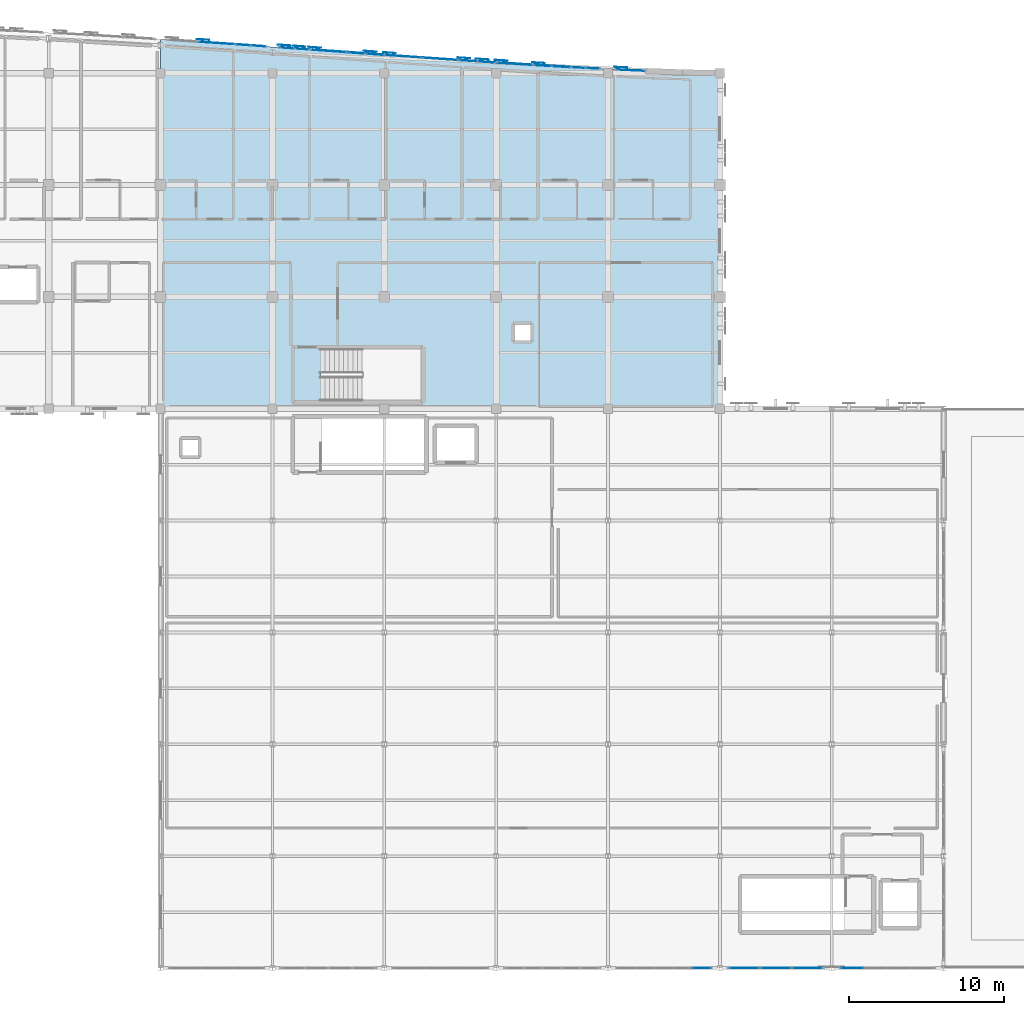
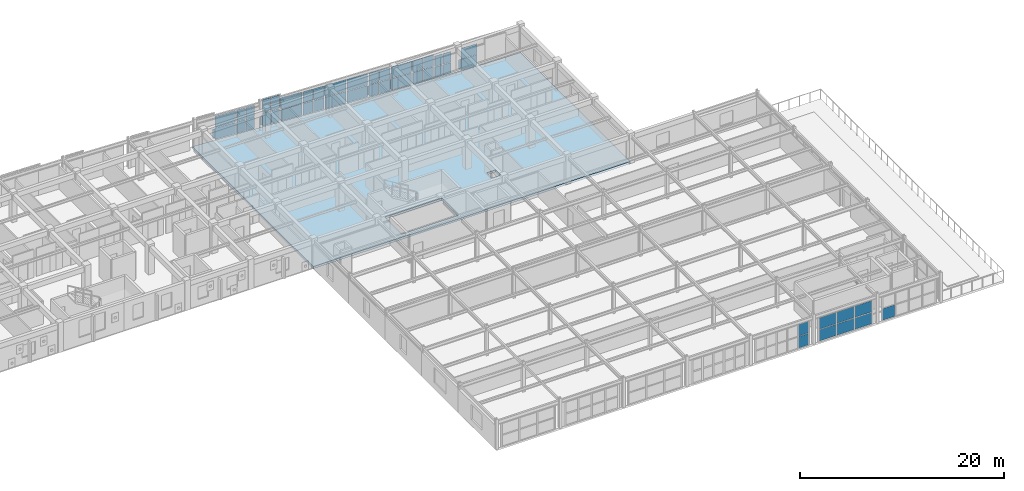
# One storey, part 55 of 73: 56 plates, 1 slab, 15 elements without a shape of their own.
"""IFC4 building model written with IfcOpenShell, lengths in metres."""

from ifc_helpers import new_model, si_unit, direction, frame, origin, origin_2d, place, context, subcontext, project, spatial, polyline, rectangle, outline, extrude, material, layer, layer_set, type_object, element, aggregate, save


model = new_model("IFC4")

# Units and contexts
model_context = context("Model", 3, precision=1e-05, world=origin(), true_north=direction((0.0, 1.0)))
body_context = subcontext(model_context, "Body", "Model", "MODEL_VIEW")
ifc_project = project(units=[si_unit("LENGTHUNIT", "METRE"), si_unit("AREAUNIT", "SQUARE_METRE"), si_unit("VOLUMEUNIT", "CUBIC_METRE"), si_unit("PLANEANGLEUNIT", "RADIAN"), si_unit("MASSUNIT", "GRAM", prefix="KILO")], contexts=[model_context])

# Site, building, storey
site_placement = place(None, origin())
site = spatial("IfcSite", under=ifc_project, at=site_placement, CompositionType="ELEMENT")
building_placement = place(site_placement, origin())
building = spatial("IfcBuilding", under=site, at=building_placement, Name="Carrowvane Square Congress Hotel", CompositionType="ELEMENT")
storey_placement = place(building_placement, frame((0.0, 0.0, 19.199951171875)))
storey = spatial("IfcBuildingStorey", under=building, at=storey_placement, Name="L04", CompositionType="ELEMENT", Elevation=19.199951171875)

# Curtain wall, plates
ifc_material_1 = material(Name="Anodised aluminium", Category="aluminium")
ifc_layer_1 = layer(ifc_material_1, 0.221923828125)
ifc_layer_set_1 = layer_set([ifc_layer_1], Name="Anodised aluminium")
curtain_wall_type_1 = type_object("IfcCurtainWallType", Name="CW-SYS-6", PredefinedType="NOTDEFINED", material=ifc_layer_set_1)
curtain_wall_1_placement = place(storey_placement, origin())
curtain_wall_1 = element("IfcCurtainWall", 1, at=curtain_wall_1_placement, inside=storey, type_object=curtain_wall_type_1, Name="L04 unitised curtain wall 285", PredefinedType="NOTDEFINED")
ifc_material_2 = material(Name="Double-glazed low-E glass", Category="glass")
ifc_layer_2 = layer(ifc_material_2, 0.028076171875)
ifc_layer_set_2 = layer_set([ifc_layer_2], Name="Double-glazed low-E glass")
plate_type_1 = type_object("IfcPlateType", Name="CW-PAN-1", PredefinedType="CURTAIN_PANEL", material=ifc_layer_set_2)
plate_1_placement = place(storey_placement, frame((130.39990234375, 115.33544921875, 0.070068359375), z_axis=(0.0, 0.0, 1.0), x_axis=(0.99769420292, -0.067869562107, 0.0)))
plate_1 = element("IfcPlate", 2, at=plate_1_placement, type_object=plate_type_1, Name="CW-6 panel 1.1", PredefinedType="CURTAIN_PANEL", context=body_context, shape_type="SweptSolid", body=[
    extrude(rectangle(XDim=2.265380859375, YDim=0.028076171875, at=origin_2d()), origin(), (0.0, 0.0, 1.0), 1.35791015625),
])
plate_2_placement = place(storey_placement, frame((130.39990234375, 115.33544921875, 1.497802734375), z_axis=(0.0, 0.0, 1.0), x_axis=(0.99769420292, -0.067869562107, 0.0)))
plate_2 = element("IfcPlate", 3, at=plate_2_placement, type_object=plate_type_1, Name="CW-6 panel 1.2", PredefinedType="CURTAIN_PANEL", context=body_context, shape_type="SweptSolid", body=[
    extrude(rectangle(XDim=2.265380859375, YDim=0.028076171875, at=origin_2d()), origin(), (0.0, 0.0, 1.0), 1.35791015625),
])
aggregate(curtain_wall_1, [plate_1, plate_2])

ifc_material_3 = material(Name="Anodised aluminium", Category="aluminium")
ifc_layer_3 = layer(ifc_material_3, 0.18603515625)
ifc_layer_set_3 = layer_set([ifc_layer_3], Name="Anodised aluminium")
curtain_wall_type_2 = type_object("IfcCurtainWallType", Name="CW-SYS-3", PredefinedType="NOTDEFINED", material=ifc_layer_set_3)
curtain_wall_2_placement = place(storey_placement, origin())
curtain_wall_2 = element("IfcCurtainWall", 4, at=curtain_wall_2_placement, inside=storey, type_object=curtain_wall_type_2, Name="L04 unitised curtain wall 290", PredefinedType="NOTDEFINED")
plate_3_placement = place(storey_placement, frame((142.39990234375, 114.486328125, 0.06005859375), z_axis=(0.0, 0.0, 1.0), x_axis=(0.997505697746, -0.070585996942, 0.0)))
plate_3 = element("IfcPlate", 5, at=plate_3_placement, type_object=plate_type_1, Name="CW-3 panel 1.1", PredefinedType="CURTAIN_PANEL", context=body_context, shape_type="SweptSolid", body=[
    extrude(rectangle(XDim=2.285888671875, YDim=0.028076171875, at=origin_2d()), origin(), (0.0, 0.0, 1.0), 1.372802734375),
])
plate_4_placement = place(storey_placement, frame((142.39990234375, 114.486328125, 1.49267578125), z_axis=(0.0, 0.0, 1.0), x_axis=(0.997505697746, -0.070585996942, 0.0)))
plate_4 = element("IfcPlate", 6, at=plate_4_placement, type_object=plate_type_1, Name="CW-3 panel 1.2", PredefinedType="CURTAIN_PANEL", context=body_context, shape_type="SweptSolid", body=[
    extrude(rectangle(XDim=2.285888671875, YDim=0.028076171875, at=origin_2d()), origin(), (0.0, 0.0, 1.0), 1.372802734375),
])
aggregate(curtain_wall_2, [plate_3, plate_4])

ifc_material_4 = material(Name="Anodised aluminium", Category="aluminium")
ifc_layer_4 = layer(ifc_material_4, 0.24609375)
ifc_layer_set_4 = layer_set([ifc_layer_4], Name="Anodised aluminium")
curtain_wall_type_3 = type_object("IfcCurtainWallType", Name="CW-SYS-8", PredefinedType="NOTDEFINED", material=ifc_layer_set_4)
curtain_wall_3_placement = place(storey_placement, origin())
curtain_wall_3 = element("IfcCurtainWall", 7, at=curtain_wall_3_placement, inside=storey, type_object=curtain_wall_type_3, Name="L04 unitised curtain wall 295", PredefinedType="NOTDEFINED")
plate_5_placement = place(storey_placement, frame((153.70166015625, 113.75439453125, 0.0703125), z_axis=(0.0, 0.0, 1.0), x_axis=(0.998566981227, -0.053516203185, 0.0)))
plate_5 = element("IfcPlate", 8, at=plate_5_placement, type_object=plate_type_1, Name="CW-8 panel 1.1", PredefinedType="CURTAIN_PANEL", context=body_context, shape_type="SweptSolid", body=[
    extrude(rectangle(XDim=0.86474609375, YDim=0.028076171875, at=origin_2d()), origin(), (0.0, 0.0, 1.0), 1.262451171875),
])
plate_6_placement = place(storey_placement, frame((153.70166015625, 113.75439453125, 1.40234375), z_axis=(0.0, 0.0, 1.0), x_axis=(0.998566981227, -0.053516203185, 0.0)))
plate_6 = element("IfcPlate", 9, at=plate_6_placement, type_object=plate_type_1, Name="CW-8 panel 1.2", PredefinedType="CURTAIN_PANEL", context=body_context, shape_type="SweptSolid", body=[
    extrude(rectangle(XDim=0.86474609375, YDim=0.028076171875, at=origin_2d()), origin(), (0.0, 0.0, 1.0), 1.262451171875),
])
plate_7_placement = place(storey_placement, frame((154.63525390625, 113.704345703125, 0.0703125), z_axis=(0.0, 0.0, 1.0), x_axis=(0.998566981227, -0.053516203185, 0.0)))
plate_7 = element("IfcPlate", 10, at=plate_7_placement, type_object=plate_type_1, Name="CW-8 panel 2.1", PredefinedType="CURTAIN_PANEL", context=body_context, shape_type="SweptSolid", body=[
    extrude(rectangle(XDim=0.86474609375, YDim=0.028076171875, at=origin_2d()), origin(), (0.0, 0.0, 1.0), 1.262451171875),
])
plate_8_placement = place(storey_placement, frame((154.63525390625, 113.704345703125, 1.40234375), z_axis=(0.0, 0.0, 1.0), x_axis=(0.998566981227, -0.053516203185, 0.0)))
plate_8 = element("IfcPlate", 11, at=plate_8_placement, type_object=plate_type_1, Name="CW-8 panel 2.2", PredefinedType="CURTAIN_PANEL", context=body_context, shape_type="SweptSolid", body=[
    extrude(rectangle(XDim=0.86474609375, YDim=0.028076171875, at=origin_2d()), origin(), (0.0, 0.0, 1.0), 1.262451171875),
])
aggregate(curtain_wall_3, [plate_5, plate_6, plate_7, plate_8])

# Curtain wall, plate
ifc_material_5 = material(Name="Anodised aluminium", Category="aluminium")
ifc_layer_5 = layer(ifc_material_5, 0.2099609375)
ifc_layer_set_5 = layer_set([ifc_layer_5], Name="Anodised aluminium")
curtain_wall_type_4 = type_object("IfcCurtainWallType", Name="CW-SYS-5", PredefinedType="NOTDEFINED", material=ifc_layer_set_5)
curtain_wall_4_placement = place(storey_placement, origin())
curtain_wall_4 = element("IfcCurtainWall", 12, at=curtain_wall_4_placement, inside=storey, type_object=curtain_wall_type_4, Name="L04 unitised curtain wall 300", PredefinedType="NOTDEFINED")
plate_9_placement = place(storey_placement, frame((171.320068359375, 55.800048828125, 0.06005859375), z_axis=(0.0, 0.0, 1.0), x_axis=(-1.0, 0.0, 0.0)))
plate_9 = element("IfcPlate", 13, at=plate_9_placement, type_object=plate_type_1, Name="CW-5 panel 4.1", PredefinedType="CURTAIN_PANEL", context=body_context, shape_type="SweptSolid", body=[
    extrude(rectangle(XDim=1.43994140625, YDim=0.028076171875, at=origin_2d()), origin(), (0.0, 0.0, 1.0), 1.372802734375),
])
aggregate(curtain_wall_4, [plate_9])

# Curtain wall, plates
ifc_material_6 = material(Name="Anodised aluminium", Category="aluminium")
ifc_layer_6 = layer(ifc_material_6, 0.23388671875)
ifc_layer_set_6 = layer_set([ifc_layer_6], Name="Anodised aluminium")
curtain_wall_type_5 = type_object("IfcCurtainWallType", Name="CW-SYS-7", PredefinedType="NOTDEFINED", material=ifc_layer_set_6)
curtain_wall_5_placement = place(storey_placement, origin())
curtain_wall_5 = element("IfcCurtainWall", 14, at=curtain_wall_5_placement, inside=storey, type_object=curtain_wall_type_5, Name="L04 unitised curtain wall 286", PredefinedType="NOTDEFINED")
ifc_material_7 = material(Name="Double-glazed low-E glass", Category="glass")
ifc_layer_7 = layer(ifc_material_7, 0.031982421875)
ifc_layer_set_7 = layer_set([ifc_layer_7], Name="Double-glazed low-E glass")
plate_type_2 = type_object("IfcPlateType", Name="CW-PAN-2", PredefinedType="CURTAIN_PANEL", material=ifc_layer_set_7)
plate_10_placement = place(storey_placement, frame((132.125732421875, 115.217041015625, 0.06005859375), z_axis=(0.0, 0.0, 1.0), x_axis=(0.997566119277, -0.069726879118, 0.0)))
plate_10 = element("IfcPlate", 15, at=plate_10_placement, type_object=plate_type_2, Name="CW-7 panel 1.1", PredefinedType="CURTAIN_PANEL", context=body_context, shape_type="SweptSolid", body=[
    extrude(rectangle(XDim=0.933837890625, YDim=0.031982421875, at=origin_2d()), origin(), (0.0, 0.0, 1.0), 1.372802734375),
])
plate_11_placement = place(storey_placement, frame((132.125732421875, 115.217041015625, 1.49267578125), z_axis=(0.0, 0.0, 1.0), x_axis=(0.997566119277, -0.069726879118, 0.0)))
plate_11 = element("IfcPlate", 16, at=plate_11_placement, type_object=plate_type_2, Name="CW-7 panel 1.2", PredefinedType="CURTAIN_PANEL", context=body_context, shape_type="SweptSolid", body=[
    extrude(rectangle(XDim=0.933837890625, YDim=0.031982421875, at=origin_2d()), origin(), (0.0, 0.0, 1.0), 1.372802734375),
])
plate_12_placement = place(storey_placement, frame((133.1171875, 115.147705078125, 0.06005859375), z_axis=(0.0, 0.0, 1.0), x_axis=(0.997566119277, -0.069726879118, 0.0)))
plate_12 = element("IfcPlate", 17, at=plate_12_placement, type_object=plate_type_2, Name="CW-7 panel 2.1", PredefinedType="CURTAIN_PANEL", context=body_context, shape_type="SweptSolid", body=[
    extrude(rectangle(XDim=0.933837890625, YDim=0.031982421875, at=origin_2d()), origin(), (0.0, 0.0, 1.0), 1.372802734375),
])
plate_13_placement = place(storey_placement, frame((133.1171875, 115.147705078125, 1.49267578125), z_axis=(0.0, 0.0, 1.0), x_axis=(0.997566119277, -0.069726879118, 0.0)))
plate_13 = element("IfcPlate", 18, at=plate_13_placement, type_object=plate_type_2, Name="CW-7 panel 2.2", PredefinedType="CURTAIN_PANEL", context=body_context, shape_type="SweptSolid", body=[
    extrude(rectangle(XDim=0.933837890625, YDim=0.031982421875, at=origin_2d()), origin(), (0.0, 0.0, 1.0), 1.372802734375),
])
aggregate(curtain_wall_5, [plate_10, plate_11, plate_12, plate_13])

ifc_material_8 = material(Name="Anodised aluminium", Category="aluminium")
ifc_layer_8 = layer(ifc_material_8, 0.197998046875)
ifc_layer_set_8 = layer_set([ifc_layer_8], Name="Anodised aluminium")
curtain_wall_type_6 = type_object("IfcCurtainWallType", Name="CW-SYS-4", PredefinedType="NOTDEFINED", material=ifc_layer_set_8)
curtain_wall_6_placement = place(storey_placement, origin())
curtain_wall_6 = element("IfcCurtainWall", 19, at=curtain_wall_6_placement, inside=storey, type_object=curtain_wall_type_6, Name="L04 unitised curtain wall 291", PredefinedType="NOTDEFINED")
plate_14_placement = place(storey_placement, frame((144.800048828125, 114.318359375, 0.070068359375), z_axis=(0.0, 0.0, 1.0), x_axis=(0.997617619706, -0.068986120725, 0.0)))
plate_14 = element("IfcPlate", 20, at=plate_14_placement, type_object=plate_type_2, Name="CW-4 panel 1.1", PredefinedType="CURTAIN_PANEL", context=body_context, shape_type="SweptSolid", body=[
    extrude(rectangle(XDim=2.265625, YDim=0.031982421875, at=origin_2d()), origin(), (0.0, 0.0, 1.0), 1.35791015625),
])
plate_15_placement = place(storey_placement, frame((144.800048828125, 114.318359375, 1.497802734375), z_axis=(0.0, 0.0, 1.0), x_axis=(0.997617619706, -0.068986120725, 0.0)))
plate_15 = element("IfcPlate", 21, at=plate_15_placement, type_object=plate_type_2, Name="CW-4 panel 1.2", PredefinedType="CURTAIN_PANEL", context=body_context, shape_type="SweptSolid", body=[
    extrude(rectangle(XDim=2.265625, YDim=0.031982421875, at=origin_2d()), origin(), (0.0, 0.0, 1.0), 1.35791015625),
])
aggregate(curtain_wall_6, [plate_14, plate_15])

ifc_material_9 = material(Name="Anodised aluminium", Category="aluminium")
ifc_layer_9 = layer(ifc_material_9, 0.162109375)
ifc_layer_set_9 = layer_set([ifc_layer_9], Name="Anodised aluminium")
curtain_wall_type_7 = type_object("IfcCurtainWallType", Name="CW-SYS-1", PredefinedType="NOTDEFINED", material=ifc_layer_set_9)
curtain_wall_7_placement = place(storey_placement, origin())
curtain_wall_7 = element("IfcCurtainWall", 22, at=curtain_wall_7_placement, inside=storey, type_object=curtain_wall_type_7, Name="L04 unitised curtain wall 296", PredefinedType="NOTDEFINED")
plate_16_placement = place(storey_placement, frame((157.044189453125, 113.58544921875, 0.06005859375), z_axis=(0.0, 0.0, 1.0), x_axis=(0.998917263935, -0.046522035775, 0.0)))
plate_16 = element("IfcPlate", 23, at=plate_16_placement, type_object=plate_type_2, Name="CW-1 panel 1.1", PredefinedType="CURTAIN_PANEL", context=body_context, shape_type="SweptSolid", body=[
    extrude(rectangle(XDim=1.79345703125, YDim=0.031982421875, at=origin_2d()), origin(), (0.0, 0.0, 1.0), 1.277587890625),
])
plate_17_placement = place(storey_placement, frame((157.044189453125, 113.58544921875, 1.3974609375), z_axis=(0.0, 0.0, 1.0), x_axis=(0.998917263935, -0.046522035775, 0.0)))
plate_17 = element("IfcPlate", 24, at=plate_17_placement, type_object=plate_type_2, Name="CW-1 panel 1.2", PredefinedType="CURTAIN_PANEL", context=body_context, shape_type="SweptSolid", body=[
    extrude(rectangle(XDim=1.79345703125, YDim=0.031982421875, at=origin_2d()), origin(), (0.0, 0.0, 1.0), 1.277587890625),
])
aggregate(curtain_wall_7, [plate_16, plate_17])

curtain_wall_8_placement = place(storey_placement, origin())
curtain_wall_8 = element("IfcCurtainWall", 25, at=curtain_wall_8_placement, inside=storey, type_object=curtain_wall_type_1, Name="L04 unitised curtain wall 301", PredefinedType="NOTDEFINED")
plate_18_placement = place(storey_placement, frame((168.422607421875, 55.800048828125, 0.070068359375), z_axis=(0.0, 0.0, 1.0), x_axis=(-1.0, 0.0, 0.0)))
plate_18 = element("IfcPlate", 26, at=plate_18_placement, type_object=plate_type_2, Name="CW-6 panel 1.1", PredefinedType="CURTAIN_PANEL", context=body_context, shape_type="SweptSolid", body=[
    extrude(rectangle(XDim=1.93505859375, YDim=0.031982421875, at=origin_2d()), origin(), (0.0, 0.0, 1.0), 1.35791015625),
])
plate_19_placement = place(storey_placement, frame((168.422607421875, 55.800048828125, 1.497802734375), z_axis=(0.0, 0.0, 1.0), x_axis=(-1.0, 0.0, 0.0)))
plate_19 = element("IfcPlate", 27, at=plate_19_placement, type_object=plate_type_2, Name="CW-6 panel 1.2", PredefinedType="CURTAIN_PANEL", context=body_context, shape_type="SweptSolid", body=[
    extrude(rectangle(XDim=1.93505859375, YDim=0.031982421875, at=origin_2d()), origin(), (0.0, 0.0, 1.0), 1.35791015625),
])
plate_20_placement = place(storey_placement, frame((166.39990234375, 55.800048828125, 0.070068359375), z_axis=(0.0, 0.0, 1.0), x_axis=(-1.0, 0.0, 0.0)))
plate_20 = element("IfcPlate", 28, at=plate_20_placement, type_object=plate_type_2, Name="CW-6 panel 2.1", PredefinedType="CURTAIN_PANEL", context=body_context, shape_type="SweptSolid", body=[
    extrude(rectangle(XDim=1.969970703125, YDim=0.031982421875, at=origin_2d()), origin(), (0.0, 0.0, 1.0), 1.35791015625),
])
plate_21_placement = place(storey_placement, frame((166.39990234375, 55.800048828125, 1.497802734375), z_axis=(0.0, 0.0, 1.0), x_axis=(-1.0, 0.0, 0.0)))
plate_21 = element("IfcPlate", 29, at=plate_21_placement, type_object=plate_type_2, Name="CW-6 panel 2.2", PredefinedType="CURTAIN_PANEL", context=body_context, shape_type="SweptSolid", body=[
    extrude(rectangle(XDim=1.969970703125, YDim=0.031982421875, at=origin_2d()), origin(), (0.0, 0.0, 1.0), 1.35791015625),
])
plate_22_placement = place(storey_placement, frame((164.37744140625, 55.800048828125, 0.070068359375), z_axis=(0.0, 0.0, 1.0), x_axis=(-1.0, 0.0, 0.0)))
plate_22 = element("IfcPlate", 30, at=plate_22_placement, type_object=plate_type_2, Name="CW-6 panel 3.1", PredefinedType="CURTAIN_PANEL", context=body_context, shape_type="SweptSolid", body=[
    extrude(rectangle(XDim=1.93505859375, YDim=0.031982421875, at=origin_2d()), origin(), (0.0, 0.0, 1.0), 1.35791015625),
])
plate_23_placement = place(storey_placement, frame((164.37744140625, 55.800048828125, 1.497802734375), z_axis=(0.0, 0.0, 1.0), x_axis=(-1.0, 0.0, 0.0)))
plate_23 = element("IfcPlate", 31, at=plate_23_placement, type_object=plate_type_2, Name="CW-6 panel 3.2", PredefinedType="CURTAIN_PANEL", context=body_context, shape_type="SweptSolid", body=[
    extrude(rectangle(XDim=1.93505859375, YDim=0.031982421875, at=origin_2d()), origin(), (0.0, 0.0, 1.0), 1.35791015625),
])
aggregate(curtain_wall_8, [plate_18, plate_19, plate_20, plate_21, plate_22, plate_23])

curtain_wall_9_placement = place(storey_placement, origin())
curtain_wall_9 = element("IfcCurtainWall", 32, at=curtain_wall_9_placement, inside=storey, type_object=curtain_wall_type_3, Name="L04 unitised curtain wall 287", PredefinedType="NOTDEFINED")
ifc_material_10 = material(Name="Double-glazed low-E glass", Category="glass")
ifc_layer_10 = layer(ifc_material_10, 0.035888671875)
ifc_layer_set_10 = layer_set([ifc_layer_10], Name="Double-glazed low-E glass")
plate_type_3 = type_object("IfcPlateType", Name="CW-PAN-3", PredefinedType="CURTAIN_PANEL", material=ifc_layer_set_10)
plate_24_placement = place(storey_placement, frame((134.92529296875, 115.02001953125, 0.06982421875), z_axis=(0.0, 0.0, 1.0), x_axis=(0.997479171673, -0.070959862453, 0.0)))
plate_24 = element("IfcPlate", 33, at=plate_24_placement, type_object=plate_type_3, Name="CW-8 panel 1.1", PredefinedType="CURTAIN_PANEL", context=body_context, shape_type="SweptSolid", body=[
    extrude(rectangle(XDim=0.892333984375, YDim=0.035888671875, at=origin_2d()), origin(), (0.0, 0.0, 1.0), 1.570068359375),
])
plate_25_placement = place(storey_placement, frame((134.92529296875, 115.02001953125, 1.7099609375), z_axis=(0.0, 0.0, 1.0), x_axis=(0.997479171673, -0.070959862453, 0.0)))
plate_25 = element("IfcPlate", 34, at=plate_25_placement, type_object=plate_type_3, Name="CW-8 panel 1.2", PredefinedType="CURTAIN_PANEL", context=body_context, shape_type="SweptSolid", body=[
    extrude(rectangle(XDim=0.892333984375, YDim=0.035888671875, at=origin_2d()), origin(), (0.0, 0.0, 1.0), 1.570068359375),
])
plate_26_placement = place(storey_placement, frame((135.88525390625, 114.951904296875, 0.06982421875), z_axis=(0.0, 0.0, 1.0), x_axis=(0.997479171673, -0.070959862453, 0.0)))
plate_26 = element("IfcPlate", 35, at=plate_26_placement, type_object=plate_type_3, Name="CW-8 panel 2.1", PredefinedType="CURTAIN_PANEL", context=body_context, shape_type="SweptSolid", body=[
    extrude(rectangle(XDim=0.892333984375, YDim=0.035888671875, at=origin_2d()), origin(), (0.0, 0.0, 1.0), 1.570068359375),
])
plate_27_placement = place(storey_placement, frame((135.88525390625, 114.951904296875, 1.7099609375), z_axis=(0.0, 0.0, 1.0), x_axis=(0.997479171673, -0.070959862453, 0.0)))
plate_27 = element("IfcPlate", 36, at=plate_27_placement, type_object=plate_type_3, Name="CW-8 panel 2.2", PredefinedType="CURTAIN_PANEL", context=body_context, shape_type="SweptSolid", body=[
    extrude(rectangle(XDim=0.892333984375, YDim=0.035888671875, at=origin_2d()), origin(), (0.0, 0.0, 1.0), 1.570068359375),
])
aggregate(curtain_wall_9, [plate_24, plate_25, plate_26, plate_27])

curtain_wall_10_placement = place(storey_placement, origin())
curtain_wall_10 = element("IfcCurtainWall", 37, at=curtain_wall_10_placement, inside=storey, type_object=curtain_wall_type_4, Name="L04 unitised curtain wall 292", PredefinedType="NOTDEFINED")
plate_28_placement = place(storey_placement, frame((146.614990234375, 114.1943359375, 0.06005859375), z_axis=(0.0, 0.0, 1.0), x_axis=(0.997781495544, -0.06657392244, 0.0)))
plate_28 = element("IfcPlate", 38, at=plate_28_placement, type_object=plate_type_3, Name="CW-5 panel 1.1", PredefinedType="CURTAIN_PANEL", context=body_context, shape_type="SweptSolid", body=[
    extrude(rectangle(XDim=1.112548828125, YDim=0.035888671875, at=origin_2d()), origin(), (0.0, 0.0, 1.0), 1.372802734375),
])
plate_29_placement = place(storey_placement, frame((146.614990234375, 114.1943359375, 1.49267578125), z_axis=(0.0, 0.0, 1.0), x_axis=(0.997781495544, -0.06657392244, 0.0)))
plate_29 = element("IfcPlate", 39, at=plate_29_placement, type_object=plate_type_3, Name="CW-5 panel 1.2", PredefinedType="CURTAIN_PANEL", context=body_context, shape_type="SweptSolid", body=[
    extrude(rectangle(XDim=1.112548828125, YDim=0.035888671875, at=origin_2d()), origin(), (0.0, 0.0, 1.0), 1.372802734375),
])
plate_30_placement = place(storey_placement, frame((147.784912109375, 114.116455078125, 0.06005859375), z_axis=(0.0, 0.0, 1.0), x_axis=(0.997781495544, -0.06657392244, 0.0)))
plate_30 = element("IfcPlate", 40, at=plate_30_placement, type_object=plate_type_3, Name="CW-5 panel 2.1", PredefinedType="CURTAIN_PANEL", context=body_context, shape_type="SweptSolid", body=[
    extrude(rectangle(XDim=1.112548828125, YDim=0.035888671875, at=origin_2d()), origin(), (0.0, 0.0, 1.0), 1.372802734375),
])
plate_31_placement = place(storey_placement, frame((147.784912109375, 114.116455078125, 1.49267578125), z_axis=(0.0, 0.0, 1.0), x_axis=(0.997781495544, -0.06657392244, 0.0)))
plate_31 = element("IfcPlate", 41, at=plate_31_placement, type_object=plate_type_3, Name="CW-5 panel 2.2", PredefinedType="CURTAIN_PANEL", context=body_context, shape_type="SweptSolid", body=[
    extrude(rectangle(XDim=1.112548828125, YDim=0.035888671875, at=origin_2d()), origin(), (0.0, 0.0, 1.0), 1.372802734375),
])
aggregate(curtain_wall_10, [plate_28, plate_29, plate_30, plate_31])

curtain_wall_11_placement = place(storey_placement, origin())
curtain_wall_11 = element("IfcCurtainWall", 42, at=curtain_wall_11_placement, inside=storey, type_object=curtain_wall_type_5, Name="L04 unitised curtain wall 302", PredefinedType="NOTDEFINED")
plate_32_placement = place(storey_placement, frame((161.633056640625, 55.800048828125, 0.06005859375), z_axis=(0.0, 0.0, 1.0), x_axis=(-1.0, 0.0, 0.0)))
plate_32 = element("IfcPlate", 43, at=plate_32_placement, type_object=plate_type_3, Name="CW-7 panel 1.1", PredefinedType="CURTAIN_PANEL", context=body_context, shape_type="SweptSolid", body=[
    extrude(rectangle(XDim=1.134033203125, YDim=0.035888671875, at=origin_2d()), origin(), (0.0, 0.0, 1.0), 1.372802734375),
])
plate_33_placement = place(storey_placement, frame((161.633056640625, 55.800048828125, 1.49267578125), z_axis=(0.0, 0.0, 1.0), x_axis=(-1.0, 0.0, 0.0)))
plate_33 = element("IfcPlate", 44, at=plate_33_placement, type_object=plate_type_3, Name="CW-7 panel 1.2", PredefinedType="CURTAIN_PANEL", context=body_context, shape_type="SweptSolid", body=[
    extrude(rectangle(XDim=1.134033203125, YDim=0.035888671875, at=origin_2d()), origin(), (0.0, 0.0, 1.0), 1.372802734375),
])
aggregate(curtain_wall_11, [plate_32, plate_33])

curtain_wall_12_placement = place(storey_placement, origin())
curtain_wall_12 = element("IfcCurtainWall", 45, at=curtain_wall_12_placement, inside=storey, type_object=curtain_wall_type_7, Name="L04 unitised curtain wall 288", PredefinedType="NOTDEFINED")
ifc_material_11 = material(Name="Double-glazed low-E glass", Category="glass")
ifc_layer_11 = layer(ifc_material_11, 0.0419921875)
ifc_layer_set_11 = layer_set([ifc_layer_11], Name="Double-glazed low-E glass")
plate_type_4 = type_object("IfcPlateType", Name="CW-PAN-4", PredefinedType="CURTAIN_PANEL", material=ifc_layer_set_11)
plate_34_placement = place(storey_placement, frame((137.60009765625, 114.8291015625, 0.06005859375), z_axis=(0.0, 0.0, 1.0), x_axis=(0.997438322595, -0.071531759512, 0.0)))
plate_34 = element("IfcPlate", 46, at=plate_34_placement, type_object=plate_type_4, Name="CW-1 panel 1.1", PredefinedType="CURTAIN_PANEL", context=body_context, shape_type="SweptSolid", body=[
    extrude(rectangle(XDim=2.2861328125, YDim=0.0419921875, at=origin_2d()), origin(), (0.0, 0.0, 1.0), 1.372802734375),
])
plate_35_placement = place(storey_placement, frame((137.60009765625, 114.8291015625, 1.49267578125), z_axis=(0.0, 0.0, 1.0), x_axis=(0.997438322595, -0.071531759512, 0.0)))
plate_35 = element("IfcPlate", 47, at=plate_35_placement, type_object=plate_type_4, Name="CW-1 panel 1.2", PredefinedType="CURTAIN_PANEL", context=body_context, shape_type="SweptSolid", body=[
    extrude(rectangle(XDim=2.2861328125, YDim=0.0419921875, at=origin_2d()), origin(), (0.0, 0.0, 1.0), 1.372802734375),
])
aggregate(curtain_wall_12, [plate_34, plate_35])

curtain_wall_13_placement = place(storey_placement, origin())
curtain_wall_13 = element("IfcCurtainWall", 48, at=curtain_wall_13_placement, inside=storey, type_object=curtain_wall_type_1, Name="L04 unitised curtain wall 293", PredefinedType="NOTDEFINED")
plate_36_placement = place(storey_placement, frame((149.60009765625, 113.999267578125, 0.070068359375), z_axis=(0.0, 0.0, 1.0), x_axis=(0.997996225303, -0.063273487972, 0.0)))
plate_36 = element("IfcPlate", 49, at=plate_36_placement, type_object=plate_type_4, Name="CW-6 panel 1.1", PredefinedType="CURTAIN_PANEL", context=body_context, shape_type="SweptSolid", body=[
    extrude(rectangle(XDim=2.264892578125, YDim=0.0419921875, at=origin_2d()), origin(), (0.0, 0.0, 1.0), 1.35791015625),
])
plate_37_placement = place(storey_placement, frame((149.60009765625, 113.999267578125, 1.497802734375), z_axis=(0.0, 0.0, 1.0), x_axis=(0.997996225303, -0.063273487972, 0.0)))
plate_37 = element("IfcPlate", 50, at=plate_37_placement, type_object=plate_type_4, Name="CW-6 panel 1.2", PredefinedType="CURTAIN_PANEL", context=body_context, shape_type="SweptSolid", body=[
    extrude(rectangle(XDim=2.264892578125, YDim=0.0419921875, at=origin_2d()), origin(), (0.0, 0.0, 1.0), 1.35791015625),
])
aggregate(curtain_wall_13, [plate_36, plate_37])

ifc_material_12 = material(Name="Anodised aluminium", Category="aluminium")
ifc_layer_12 = layer(ifc_material_12, 0.174072265625)
ifc_layer_set_12 = layer_set([ifc_layer_12], Name="Anodised aluminium")
curtain_wall_type_8 = type_object("IfcCurtainWallType", Name="CW-SYS-2", PredefinedType="NOTDEFINED", material=ifc_layer_set_12)
curtain_wall_14_placement = place(storey_placement, origin())
curtain_wall_14 = element("IfcCurtainWall", 51, at=curtain_wall_14_placement, inside=storey, type_object=curtain_wall_type_8, Name="L04 unitised curtain wall 289", PredefinedType="NOTDEFINED")
ifc_material_13 = material(Name="Double-glazed low-E glass", Category="glass")
ifc_layer_13 = layer(ifc_material_13, 0.048095703125)
ifc_layer_set_13 = layer_set([ifc_layer_13], Name="Double-glazed low-E glass")
plate_type_5 = type_object("IfcPlateType", Name="CW-PAN-5", PredefinedType="CURTAIN_PANEL", material=ifc_layer_set_13)
plate_38_placement = place(storey_placement, frame((139.41748046875, 114.698974609375, 0.070068359375), z_axis=(0.0, 0.0, 1.0), x_axis=(0.997446152826, -0.071422490945, 0.0)))
plate_38 = element("IfcPlate", 52, at=plate_38_placement, type_object=plate_type_5, Name="CW-2 panel 1.1", PredefinedType="CURTAIN_PANEL", context=body_context, shape_type="SweptSolid", body=[
    extrude(rectangle(XDim=1.09814453125, YDim=0.048095703125, at=origin_2d()), origin(), (0.0, 0.0, 1.0), 1.35791015625),
])
plate_39_placement = place(storey_placement, frame((139.41748046875, 114.698974609375, 1.497802734375), z_axis=(0.0, 0.0, 1.0), x_axis=(0.997446152826, -0.071422490945, 0.0)))
plate_39 = element("IfcPlate", 53, at=plate_39_placement, type_object=plate_type_5, Name="CW-2 panel 1.2", PredefinedType="CURTAIN_PANEL", context=body_context, shape_type="SweptSolid", body=[
    extrude(rectangle(XDim=1.09814453125, YDim=0.048095703125, at=origin_2d()), origin(), (0.0, 0.0, 1.0), 1.35791015625),
])
plate_40_placement = place(storey_placement, frame((140.58251953125, 114.615478515625, 0.070068359375), z_axis=(0.0, 0.0, 1.0), x_axis=(0.997446152826, -0.071422490945, 0.0)))
plate_40 = element("IfcPlate", 54, at=plate_40_placement, type_object=plate_type_5, Name="CW-2 panel 2.1", PredefinedType="CURTAIN_PANEL", context=body_context, shape_type="SweptSolid", body=[
    extrude(rectangle(XDim=1.09814453125, YDim=0.048095703125, at=origin_2d()), origin(), (0.0, 0.0, 1.0), 1.35791015625),
])
plate_41_placement = place(storey_placement, frame((140.58251953125, 114.615478515625, 1.497802734375), z_axis=(0.0, 0.0, 1.0), x_axis=(0.997446152826, -0.071422490945, 0.0)))
plate_41 = element("IfcPlate", 55, at=plate_41_placement, type_object=plate_type_5, Name="CW-2 panel 2.2", PredefinedType="CURTAIN_PANEL", context=body_context, shape_type="SweptSolid", body=[
    extrude(rectangle(XDim=1.09814453125, YDim=0.048095703125, at=origin_2d()), origin(), (0.0, 0.0, 1.0), 1.35791015625),
])
aggregate(curtain_wall_14, [plate_38, plate_39, plate_40, plate_41])

curtain_wall_15_placement = place(storey_placement, origin())
curtain_wall_15 = element("IfcCurtainWall", 56, at=curtain_wall_15_placement, inside=storey, type_object=curtain_wall_type_5, Name="L04 unitised curtain wall 294", PredefinedType="NOTDEFINED")
plate_42_placement = place(storey_placement, frame((151.4150390625, 113.88671875, 0.06005859375), z_axis=(0.0, 0.0, 1.0), x_axis=(0.99825866099, -0.058988522254, 0.0)))
plate_42 = element("IfcPlate", 57, at=plate_42_placement, type_object=plate_type_5, Name="CW-7 panel 1.1", PredefinedType="CURTAIN_PANEL", context=body_context, shape_type="SweptSolid", body=[
    extrude(rectangle(XDim=1.112060546875, YDim=0.048095703125, at=origin_2d()), origin(), (0.0, 0.0, 1.0), 1.372802734375),
])
plate_43_placement = place(storey_placement, frame((151.4150390625, 113.88671875, 1.49267578125), z_axis=(0.0, 0.0, 1.0), x_axis=(0.99825866099, -0.058988522254, 0.0)))
plate_43 = element("IfcPlate", 58, at=plate_43_placement, type_object=plate_type_5, Name="CW-7 panel 1.2", PredefinedType="CURTAIN_PANEL", context=body_context, shape_type="SweptSolid", body=[
    extrude(rectangle(XDim=1.112060546875, YDim=0.048095703125, at=origin_2d()), origin(), (0.0, 0.0, 1.0), 1.372802734375),
])
plate_44_placement = place(storey_placement, frame((152.5849609375, 113.817626953125, 0.06005859375), z_axis=(0.0, 0.0, 1.0), x_axis=(0.99825866099, -0.058988522254, 0.0)))
plate_44 = element("IfcPlate", 59, at=plate_44_placement, type_object=plate_type_5, Name="CW-7 panel 2.1", PredefinedType="CURTAIN_PANEL", context=body_context, shape_type="SweptSolid", body=[
    extrude(rectangle(XDim=1.112060546875, YDim=0.048095703125, at=origin_2d()), origin(), (0.0, 0.0, 1.0), 1.372802734375),
])
plate_45_placement = place(storey_placement, frame((152.5849609375, 113.817626953125, 1.49267578125), z_axis=(0.0, 0.0, 1.0), x_axis=(0.99825866099, -0.058988522254, 0.0)))
plate_45 = element("IfcPlate", 60, at=plate_45_placement, type_object=plate_type_5, Name="CW-7 panel 2.2", PredefinedType="CURTAIN_PANEL", context=body_context, shape_type="SweptSolid", body=[
    extrude(rectangle(XDim=1.112060546875, YDim=0.048095703125, at=origin_2d()), origin(), (0.0, 0.0, 1.0), 1.372802734375),
])
aggregate(curtain_wall_15, [plate_42, plate_43, plate_44, plate_45])

# Plates
ifc_material_14 = material(Name="Champagne-gold anodised aluminium", Category="aluminium")
ifc_layer_14 = layer(ifc_material_14, 0.011962890625)
ifc_layer_set_14 = layer_set([ifc_layer_14], Name="Champagne-gold anodised aluminium")
plate_type_6 = type_object("IfcPlateType", Name="PLT-PIX-GOLD12", PredefinedType="SHEET", material=ifc_layer_set_14)
for number, where, z_axis, x_axis, name in (
    (61, (129.535400390625, 115.560546875, 0.119873046875), (0.0, 0.0, 1.0), (0.9976944394, -0.067866085713, 0.0), "Champagne-gold pixel screen plate 338"),
    (62, (134.746337890625, 115.19921875, 0.119873046875), (0.0, 0.0, 1.0), (0.997479379392, -0.070956942496, 0.0), "Champagne-gold pixel screen plate 339"),
    (63, (135.7060546875, 115.131103515625, 0.119873046875), (0.0, 0.0, 1.0), (0.997479379392, -0.070956942496, 0.0), "Champagne-gold pixel screen plate 340"),
    (64, (140.30078125, 114.802001953125, 1.590087890625), (0.0, 0.0, 1.0), (0.997446326449, -0.071420066188, 0.0), "Champagne-gold pixel screen plate 342"),
    (65, (148.734619140625, 114.220458984375, 0.119873046875), (0.0, 0.0, 1.0), (0.997996022269, -0.063276690295, 0.0), "Champagne-gold pixel screen plate 346"),
):
    element("IfcPlate", number, at=place(storey_placement, frame(where, z_axis=z_axis, x_axis=x_axis)), inside=storey, type_object=plate_type_6, Name=name, PredefinedType="SHEET", context=body_context, shape_type="SweptSolid", body=[
        extrude(rectangle(XDim=0.827880859375, YDim=0.011962890625, at=origin_2d()), origin(), (0.0, 0.0, 1.0), 1.1201171875),
    ])
ifc_material_15 = material(Name="Champagne-gold anodised aluminium", Category="aluminium")
ifc_layer_15 = layer(ifc_material_15, 0.008056640625)
ifc_layer_set_15 = layer_set([ifc_layer_15], Name="Champagne-gold anodised aluminium")
plate_type_7 = type_object("IfcPlateType", Name="PLT-PIX-GOLD8", PredefinedType="SHEET", material=ifc_layer_set_15)
for number, where, z_axis, x_axis, name in (
    (66, (136.730712890625, 115.055908203125, 1.590087890625), (0.0, 0.0, 1.0), (0.997438267187, -0.071532532122, 0.0), "Champagne-gold pixel screen plate 341"),
    (67, (141.530517578125, 114.71240234375, 1.590087890625), (0.0, 0.0, 1.0), (0.997505756275, -0.070585169822, 0.0), "Champagne-gold pixel screen plate 343"),
    (68, (146.330078125, 114.3779296875, 0.119873046875), (0.0, 0.0, 1.0), (0.997781458784, -0.066574473385, 0.0), "Champagne-gold pixel screen plate 344"),
    (69, (147.5, 114.2998046875, 1.590087890625), (0.0, 0.0, 1.0), (0.997781458784, -0.066574473385, 0.0), "Champagne-gold pixel screen plate 345"),
    (70, (151.12890625, 114.068115234375, 1.590087890625), (0.0, 0.0, 1.0), (0.998258866948, -0.05898503675, 0.0), "Champagne-gold pixel screen plate 347"),
    (71, (156.415771484375, 113.77880859375, 0.119873046875), (0.0, 0.0, 1.0), (0.99891730083, -0.046521243556, 0.0), "Champagne-gold pixel screen plate 348"),
):
    element("IfcPlate", number, at=place(storey_placement, frame(where, z_axis=z_axis, x_axis=x_axis)), inside=storey, type_object=plate_type_7, Name=name, PredefinedType="SHEET", context=body_context, shape_type="SweptSolid", body=[
        extrude(rectangle(XDim=0.827880859375, YDim=0.008056640625, at=origin_2d()), origin(), (0.0, 0.0, 1.0), 1.1201171875),
    ])

# Slab
ifc_material_16 = material(Name="Concrete C35/45", Category="concrete")
ifc_layer_16 = layer(ifc_material_16, 0.260009765625)
ifc_layer_set_16 = layer_set([ifc_layer_16], Name="Concrete C35/45")
slab_type = type_object("IfcSlabType", Name="SLB-FLR-260", PredefinedType="FLOOR", material=ifc_layer_set_16)
slab_placement = place(storey_placement, frame((0.0, 0.0, -0.260009765625)))
element("IfcSlab", 72, at=slab_placement, inside=storey, type_object=slab_type, Name="L04 Hotel Wing slab panel 3", PredefinedType="FLOOR", context=body_context, shape_type="SweptSolid", body=[
    extrude(outline(polyline([(126.800048828125, 91.800048828125), (162.800048828125, 91.800048828125), (162.800048828125, 113.39990234375), (160.39990234375, 113.45166015625), (158.0, 113.541015625), (155.60009765625, 113.65283203125), (153.199951171875, 113.78125), (150.800048828125, 113.923095703125), (148.39990234375, 114.075439453125), (146.0, 114.235595703125), (143.60009765625, 114.4013671875), (141.199951171875, 114.5712890625), (138.800048828125, 114.7431640625), (136.39990234375, 114.915283203125), (134.0, 115.0859375), (131.60009765625, 115.253662109375), (129.199951171875, 115.4169921875), (126.800048828125, 115.57421875), (126.800048828125, 91.800048828125)]), holes=[polyline([(137.1201171875, 92.300048828125), (143.60009765625, 92.300048828125), (143.60009765625, 95.659912109375), (137.1201171875, 95.659912109375), (137.1201171875, 92.300048828125)]), polyline([(149.60009765625, 96.199951171875), (150.60009765625, 96.199951171875), (150.60009765625, 97.199951171875), (149.60009765625, 97.199951171875), (149.60009765625, 96.199951171875)])]), origin(), (0.0, 0.0, 1.0), 0.260009765625),
])

save(model, "model.ifc")
